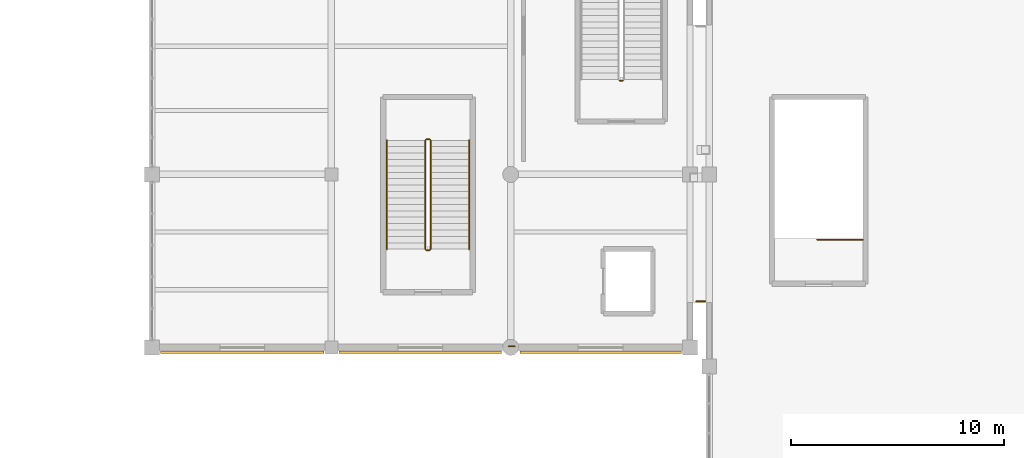
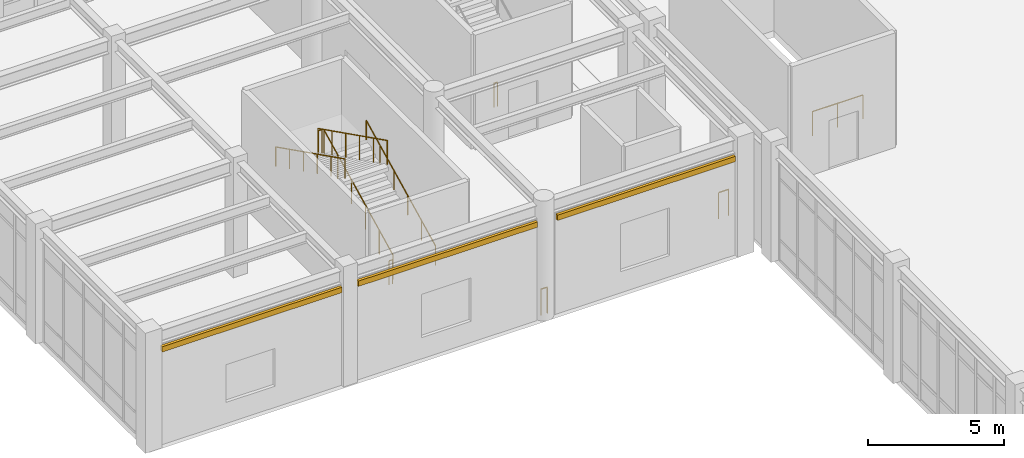
# One storey, part 78 of 80: 10 railings, 3 coverings.
"""IFC4 building model written with IfcOpenShell, lengths in metres."""

from ifc_helpers import new_model, si_unit, direction, frame, origin, origin_2d, place, context, subcontext, project, spatial, rectangle, circle, extrude, material, layer, layer_set, type_object, element, save


model = new_model("IFC4")

# Units and contexts
model_context = context("Model", 3, precision=1e-05, world=origin(), true_north=direction((0.0, 1.0)))
body_context = subcontext(model_context, "Body", "Model", "MODEL_VIEW")
ifc_project = project(units=[si_unit("LENGTHUNIT", "METRE"), si_unit("AREAUNIT", "SQUARE_METRE"), si_unit("VOLUMEUNIT", "CUBIC_METRE"), si_unit("PLANEANGLEUNIT", "RADIAN"), si_unit("MASSUNIT", "GRAM", prefix="KILO")], contexts=[model_context])

# Site, building, storey
site_placement = place(None, origin())
site = spatial("IfcSite", under=ifc_project, at=site_placement, CompositionType="ELEMENT")
building_placement = place(site_placement, origin())
building = spatial("IfcBuilding", under=site, at=building_placement, Name="Canglan Escarpment Cableway Terminal", CompositionType="ELEMENT")
storey_placement = place(building_placement, frame((0.0, 0.0, 19.199951171875)))
storey = spatial("IfcBuildingStorey", under=building, at=storey_placement, Name="L04", CompositionType="ELEMENT", Elevation=19.199951171875)

# Coverings
ifc_material_1 = material(Name="Carved classical limestone cornice", Category="masonry")
ifc_layer = layer(ifc_material_1, 0.1201171875, Name="Carved classical limestone cornice")
ifc_layer_set = layer_set([ifc_layer], Name="Carved classical limestone cornice")
covering_type = type_object("IfcCoveringType", Name="COV-CORNICE-STONE", PredefinedType="CLADDING", material=ifc_layer_set)
covering_1_placement = place(storey_placement, frame((115.72509765625, 88.669921875, 4.26123046875), z_axis=(0.0, 0.0, 1.0), x_axis=(1.0, 0.0, 0.0)))
element("IfcCovering", 1, at=covering_1_placement, inside=storey, type_object=covering_type, Name="Classical carved limestone cornice CL-01", PredefinedType="CLADDING", context=body_context, shape_type="SweptSolid", body=[
    extrude(rectangle(XDim=7.64990234375, YDim=0.1201171875, at=origin_2d()), origin(), (0.0, 0.0, 1.0), 0.239990234375),
])
covering_2_placement = place(storey_placement, frame((124.0625, 88.669921875, 4.291015625), z_axis=(0.0, 0.0, 1.0), x_axis=(1.0, 0.0, 0.0)))
element("IfcCovering", 2, at=covering_2_placement, inside=storey, type_object=covering_type, Name="Classical carved limestone cornice CL-01", PredefinedType="CLADDING", context=body_context, shape_type="SweptSolid", body=[
    extrude(rectangle(XDim=7.625, YDim=0.1201171875, at=origin_2d()), origin(), (0.0, 0.0, 1.0), 0.239990234375),
])
covering_3_placement = place(storey_placement, frame((132.512451171875, 88.669921875, 4.291015625), z_axis=(0.0, 0.0, 1.0), x_axis=(1.0, 0.0, 0.0)))
element("IfcCovering", 3, at=covering_3_placement, inside=storey, type_object=covering_type, Name="Classical carved limestone cornice CL-01", PredefinedType="CLADDING", context=body_context, shape_type="SweptSolid", body=[
    extrude(rectangle(XDim=7.574951171875, YDim=0.1201171875, at=origin_2d()), origin(), (0.0, 0.0, 1.0), 0.239990234375),
])

# Railings
ifc_material_2 = material(Name="Carved limestone and anodized bronze balustrade", Category="masonry")
railing_type_1 = type_object("IfcRailingType", Name="RL-EXT-BALUSTRADE-1200", PredefinedType="BALUSTRADE", material=ifc_material_2)
railing_1_placement = place(storey_placement, frame((137.409912109375, 91.050048828125, 0.0)))
element("IfcRailing", 4, at=railing_1_placement, inside=storey, type_object=railing_type_1, Name="Classical terrace balustrade guard GD-01 (L04)", PredefinedType="BALUSTRADE", context=body_context, shape_type="SweptSolid", body=[
    extrude(circle(Radius=0.02392578125, at=origin_2d()), frame((0.0, 0.0, 1.17578125), z_axis=(-1.0, 0.0, 0.0), x_axis=(0.0, -1.0, 0.0)), (0.0, 0.0, 1.0), 0.419921875),
    extrude(circle(Radius=0.02099609375, at=origin_2d()), origin(), (0.0, 0.0, 1.0), 1.15185546875),
    extrude(circle(Radius=0.02099609375, at=origin_2d()), frame((-0.419921875, 0.0, 0.0)), (0.0, 0.0, 1.0), 1.15185546875),
])
railing_2_placement = place(storey_placement, frame((128.485107421875, 88.949951171875, 0.0)))
element("IfcRailing", 5, at=railing_2_placement, inside=storey, type_object=railing_type_1, Name="Classical terrace balustrade guard GD-01 (L04)", PredefinedType="BALUSTRADE", context=body_context, shape_type="SweptSolid", body=[
    extrude(circle(Radius=0.02392578125, at=origin_2d()), frame((0.0, 0.0, 1.17578125), z_axis=(-1.0, 0.0, 0.0), x_axis=(0.0, -1.0, 0.0)), (0.0, 0.0, 1.0), 0.27001953125),
    extrude(circle(Radius=0.02099609375, at=origin_2d()), origin(), (0.0, 0.0, 1.0), 1.15185546875),
    extrude(circle(Radius=0.02099609375, at=origin_2d()), frame((-0.27001953125, 0.0, 0.0)), (0.0, 0.0, 1.0), 1.15185546875),
])
ifc_material_3 = material(Name="Powder-coated steel stair balustrade", Category="steel")
railing_type_2 = type_object("IfcRailingType", Name="RL-STR-GUARD-1100", PredefinedType="BALUSTRADE", material=ifc_material_3)
railing_3_placement = place(storey_placement, frame((124.550048828125, 93.5, 0.150146484375)))
element("IfcRailing", 6, at=railing_3_placement, inside=storey, type_object=railing_type_2, Name="L04 ST-12 stair guard 1", PredefinedType="BALUSTRADE", context=body_context, shape_type="SweptSolid", body=[
    extrude(circle(Radius=0.02392578125, at=origin_2d()), frame((0.0, 0.0, 1.076171875), z_axis=(0.0, 0.89444431709, 0.44717934168), x_axis=(-1.0, 0.0, 0.0)), (0.0, 0.0, 1.0), 5.701904296875),
    extrude(circle(Radius=0.02099609375, at=origin_2d()), origin(), (0.0, 0.0, 1.0), 1.052001953125),
    extrude(circle(Radius=0.02099609375, at=origin_2d()), frame((0.0, 1.02001953125, 0.510009765625)), (0.0, 0.0, 1.0), 1.052001953125),
    extrude(circle(Radius=0.02099609375, at=origin_2d()), frame((0.0, 2.0400390625, 1.02001953125)), (0.0, 0.0, 1.0), 1.052001953125),
    extrude(circle(Radius=0.02099609375, at=origin_2d()), frame((0.0, 3.06005859375, 1.52978515625)), (0.0, 0.0, 1.0), 1.052001953125),
    extrude(circle(Radius=0.02099609375, at=origin_2d()), frame((0.0, 4.080078125, 2.039794921875)), (0.0, 0.0, 1.0), 1.052001953125),
    extrude(circle(Radius=0.02099609375, at=origin_2d()), frame((0.0, 5.10009765625, 2.5498046875)), (0.0, 0.0, 1.0), 1.052001953125),
])
railing_4_placement = place(storey_placement, frame((124.5, 98.64990234375, 2.699951171875)))
element("IfcRailing", 7, at=railing_4_placement, inside=storey, type_object=railing_type_2, Name="L04 ST-12 stair guard 2", PredefinedType="BALUSTRADE", context=body_context, shape_type="SweptSolid", body=[
    extrude(circle(Radius=0.02392578125, at=origin_2d()), frame((0.0, 0.0, 1.076171875), z_axis=(-1.0, 0.0, 0.0), x_axis=(0.0, -1.0, 0.0)), (0.0, 0.0, 1.0), 0.14990234375),
    extrude(circle(Radius=0.02099609375, at=origin_2d()), origin(), (0.0, 0.0, 1.0), 1.052001953125),
    extrude(circle(Radius=0.02099609375, at=origin_2d()), frame((-0.14990234375, 0.0, 0.0)), (0.0, 0.0, 1.0), 1.052001953125),
])
railing_5_placement = place(storey_placement, frame((124.300048828125, 98.60009765625, 2.85009765625)))
element("IfcRailing", 8, at=railing_5_placement, inside=storey, type_object=railing_type_2, Name="L04 ST-12 stair guard 3", PredefinedType="BALUSTRADE", context=body_context, shape_type="SweptSolid", body=[
    extrude(circle(Radius=0.02392578125, at=origin_2d()), frame((0.0, 0.0, 1.076171875), z_axis=(0.0, -0.894427191, 0.4472135955), x_axis=(1.0, 0.0, 0.0)), (0.0, 0.0, 1.0), 5.7021484375),
    extrude(circle(Radius=0.02099609375, at=origin_2d()), origin(), (0.0, 0.0, 1.0), 1.052001953125),
    extrude(circle(Radius=0.02099609375, at=origin_2d()), frame((0.0, -1.02001953125, 0.510009765625)), (0.0, 0.0, 1.0), 1.052001953125),
    extrude(circle(Radius=0.02099609375, at=origin_2d()), frame((0.0, -2.0400390625, 1.02001953125)), (0.0, 0.0, 1.0), 1.052001953125),
    extrude(circle(Radius=0.02099609375, at=origin_2d()), frame((0.0, -3.06005859375, 1.530029296875)), (0.0, 0.0, 1.0), 1.052001953125),
    extrude(circle(Radius=0.02099609375, at=origin_2d()), frame((0.0, -4.080078125, 2.0400390625)), (0.0, 0.0, 1.0), 1.052001953125),
    extrude(circle(Radius=0.02099609375, at=origin_2d()), frame((0.0, -5.10009765625, 2.550048828125)), (0.0, 0.0, 1.0), 1.052001953125),
])
railing_6_placement = place(storey_placement, frame((124.5, 93.449951171875, 0.0)))
element("IfcRailing", 9, at=railing_6_placement, inside=storey, type_object=railing_type_2, Name="L04 ST-12 stair guard 4", PredefinedType="BALUSTRADE", context=body_context, shape_type="SweptSolid", body=[
    extrude(circle(Radius=0.02392578125, at=origin_2d()), frame((0.0, 0.0, 1.076171875), z_axis=(-1.0, 0.0, 0.0), x_axis=(0.0, -1.0, 0.0)), (0.0, 0.0, 1.0), 0.14990234375),
    extrude(circle(Radius=0.02099609375, at=origin_2d()), origin(), (0.0, 0.0, 1.0), 1.052001953125),
    extrude(circle(Radius=0.02099609375, at=origin_2d()), frame((-0.14990234375, 0.0, 0.0)), (0.0, 0.0, 1.0), 1.052001953125),
])
railing_7_placement = place(storey_placement, frame((133.550048828125, 101.39990234375, 0.0)))
element("IfcRailing", 10, at=railing_7_placement, inside=storey, type_object=railing_type_2, Name="L04 ST-18 stair guard 4", PredefinedType="BALUSTRADE", context=body_context, shape_type="SweptSolid", body=[
    extrude(circle(Radius=0.02392578125, at=origin_2d()), frame((0.0, 0.0, 1.076171875), z_axis=(-1.0, 0.0, 0.0), x_axis=(0.0, -1.0, 0.0)), (0.0, 0.0, 1.0), 0.150146484375),
    extrude(circle(Radius=0.02099609375, at=origin_2d()), origin(), (0.0, 0.0, 1.0), 1.052001953125),
    extrude(circle(Radius=0.02099609375, at=origin_2d()), frame((-0.150146484375, 0.0, 0.0)), (0.0, 0.0, 1.0), 1.052001953125),
])
railing_8_placement = place(storey_placement, frame((144.800048828125, 93.949951171875, 0.0)))
element("IfcRailing", 11, at=railing_8_placement, inside=storey, type_object=railing_type_2, Name="L04 ST-16 top well guard 1", PredefinedType="BALUSTRADE", context=body_context, shape_type="SweptSolid", body=[
    extrude(circle(Radius=0.02392578125, at=origin_2d()), frame((0.0, 0.0, 1.076171875), z_axis=(-1.0, 0.0, 0.0), x_axis=(0.0, -1.0, 0.0)), (0.0, 0.0, 1.0), 2.150146484375),
    extrude(circle(Radius=0.02099609375, at=origin_2d()), origin(), (0.0, 0.0, 1.0), 1.052001953125),
    extrude(circle(Radius=0.02099609375, at=origin_2d()), frame((-1.0751953125, 0.0, 0.0)), (0.0, 0.0, 1.0), 1.052001953125),
    extrude(circle(Radius=0.02099609375, at=origin_2d()), frame((-2.150146484375, 0.0, 0.0)), (0.0, 0.0, 1.0), 1.052001953125),
])
ifc_material_4 = material(Name="Brushed stainless steel 304 handrail", Category="steel")
railing_type_3 = type_object("IfcRailingType", Name="RL-STR-HR-900", PredefinedType="HANDRAIL", material=ifc_material_4)
railing_9_placement = place(storey_placement, frame((126.35009765625, 93.5, 0.150146484375)))
element("IfcRailing", 12, at=railing_9_placement, inside=storey, type_object=railing_type_3, Name="L04 ST-12 stair handrail 1", PredefinedType="HANDRAIL", context=body_context, shape_type="SweptSolid", body=[
    extrude(circle(Radius=0.02392578125, at=origin_2d()), frame((0.0, 0.0, 0.8759765625), z_axis=(0.0, 0.89444431709, 0.44717934168), x_axis=(-1.0, 0.0, 0.0)), (0.0, 0.0, 1.0), 5.701904296875),
    extrude(circle(Radius=0.02099609375, at=origin_2d()), origin(), (0.0, 0.0, 1.0), 0.851806640625),
    extrude(circle(Radius=0.02099609375, at=origin_2d()), frame((0.0, 1.02001953125, 0.510009765625)), (0.0, 0.0, 1.0), 0.851806640625),
    extrude(circle(Radius=0.02099609375, at=origin_2d()), frame((0.0, 2.0400390625, 1.02001953125)), (0.0, 0.0, 1.0), 0.851806640625),
    extrude(circle(Radius=0.02099609375, at=origin_2d()), frame((0.0, 3.06005859375, 1.52978515625)), (0.0, 0.0, 1.0), 0.851806640625),
    extrude(circle(Radius=0.02099609375, at=origin_2d()), frame((0.0, 4.080078125, 2.039794921875)), (0.0, 0.0, 1.0), 0.851806640625),
    extrude(circle(Radius=0.02099609375, at=origin_2d()), frame((0.0, 5.10009765625, 2.5498046875)), (0.0, 0.0, 1.0), 0.851806640625),
])
railing_10_placement = place(storey_placement, frame((122.5, 98.60009765625, 2.85009765625)))
element("IfcRailing", 13, at=railing_10_placement, inside=storey, type_object=railing_type_3, Name="L04 ST-12 stair handrail 2", PredefinedType="HANDRAIL", context=body_context, shape_type="SweptSolid", body=[
    extrude(circle(Radius=0.02392578125, at=origin_2d()), frame((0.0, 0.0, 0.8759765625), z_axis=(0.0, -0.894427191, 0.4472135955), x_axis=(1.0, 0.0, 0.0)), (0.0, 0.0, 1.0), 5.7021484375),
    extrude(circle(Radius=0.02099609375, at=origin_2d()), origin(), (0.0, 0.0, 1.0), 0.851806640625),
    extrude(circle(Radius=0.02099609375, at=origin_2d()), frame((0.0, -1.02001953125, 0.510009765625)), (0.0, 0.0, 1.0), 0.851806640625),
    extrude(circle(Radius=0.02099609375, at=origin_2d()), frame((0.0, -2.0400390625, 1.02001953125)), (0.0, 0.0, 1.0), 0.851806640625),
    extrude(circle(Radius=0.02099609375, at=origin_2d()), frame((0.0, -3.06005859375, 1.530029296875)), (0.0, 0.0, 1.0), 0.851806640625),
    extrude(circle(Radius=0.02099609375, at=origin_2d()), frame((0.0, -4.080078125, 2.0400390625)), (0.0, 0.0, 1.0), 0.851806640625),
    extrude(circle(Radius=0.02099609375, at=origin_2d()), frame((0.0, -5.10009765625, 2.550048828125)), (0.0, 0.0, 1.0), 0.851806640625),
])

save(model, "model.ifc")
